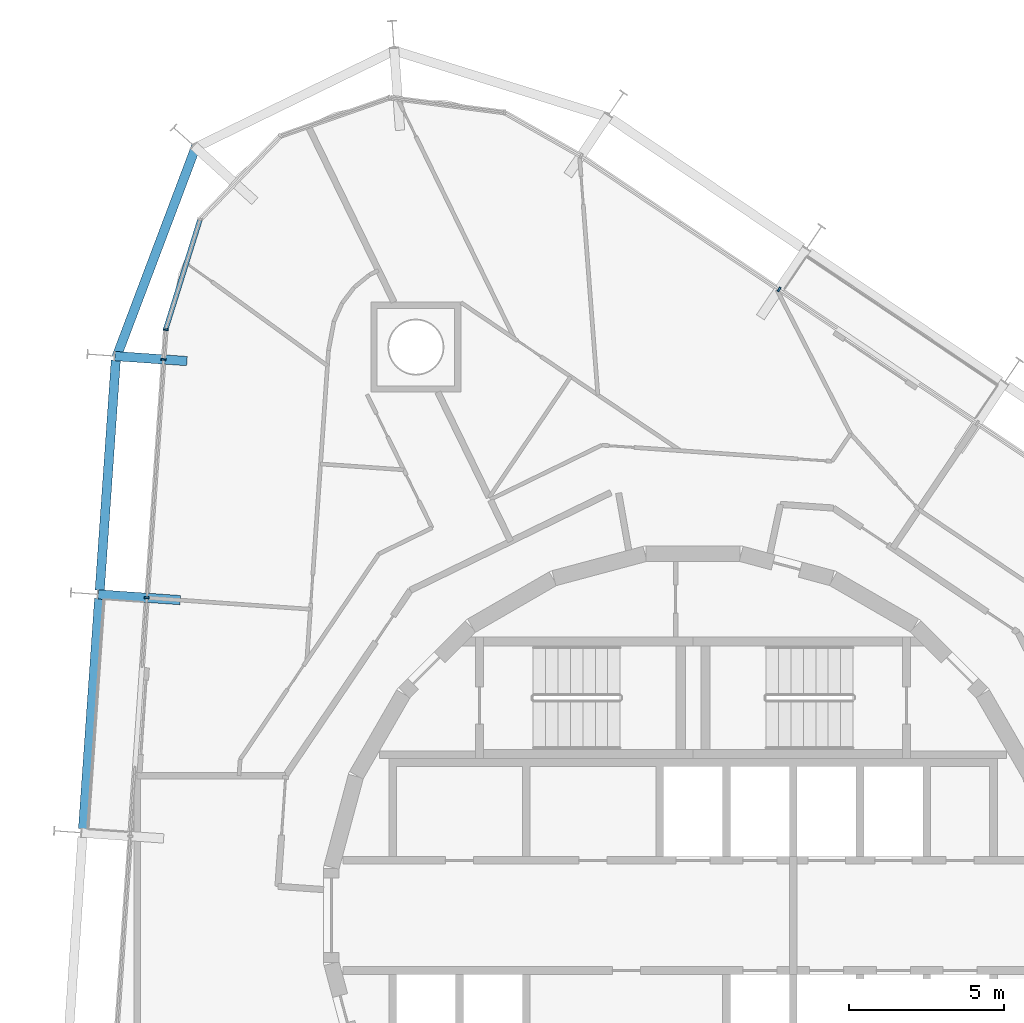
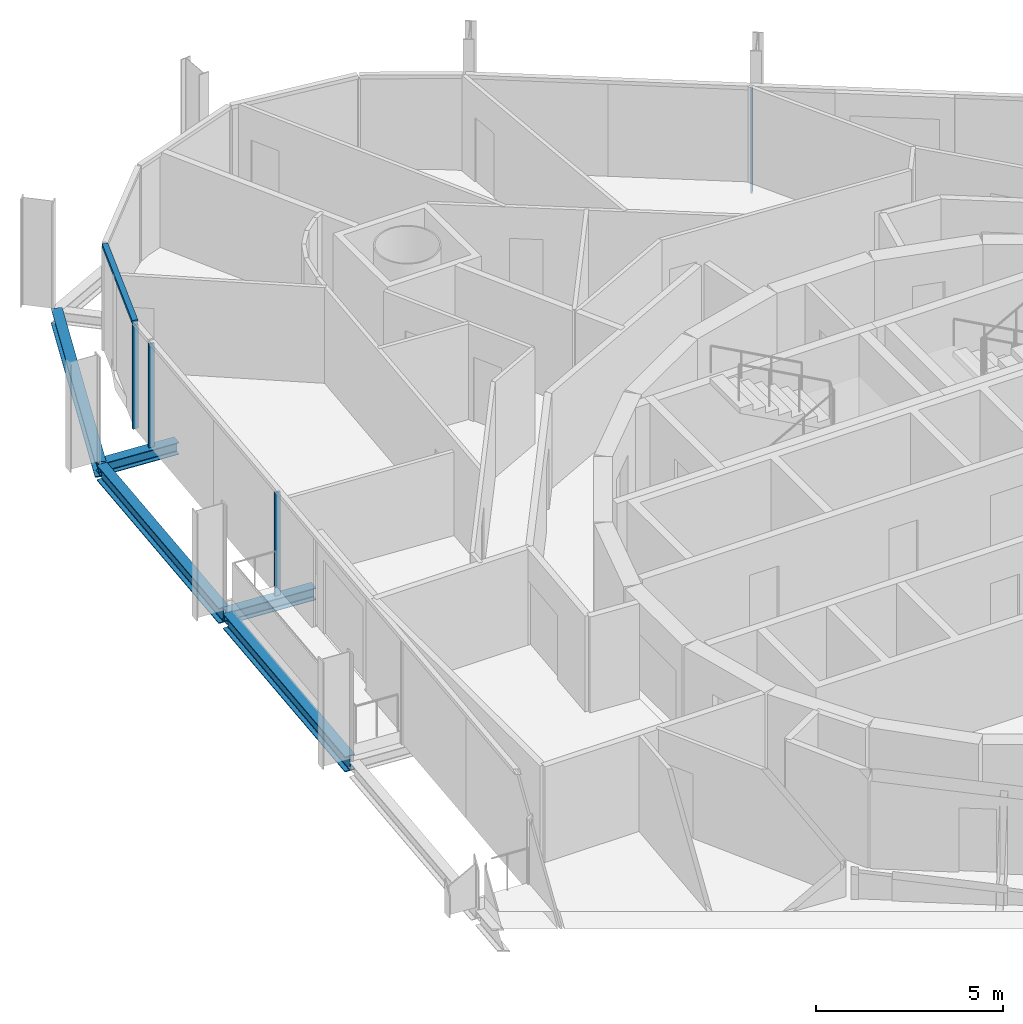
# One storey, part 6 of 17: 5 beams, 5 members, 3 elements without a shape of their own.
"""IFC4 building model written with IfcOpenShell, lengths in metres."""

from ifc_helpers import new_model, si_unit, direction, frame, origin, origin_2d, place, context, subcontext, project, spatial, rectangle, i_section, extrude, material, layer, layer_set, material_profile, profile_set, type_object, element, aggregate, save


model = new_model("IFC4")

# Units and contexts
model_context = context("Model", 3, precision=1e-05, world=origin(), true_north=direction((0.0, 1.0)))
body_context = subcontext(model_context, "Body", "Model", "MODEL_VIEW")
ifc_project = project(units=[si_unit("LENGTHUNIT", "METRE"), si_unit("AREAUNIT", "SQUARE_METRE"), si_unit("VOLUMEUNIT", "CUBIC_METRE"), si_unit("PLANEANGLEUNIT", "RADIAN"), si_unit("MASSUNIT", "GRAM", prefix="KILO")], contexts=[model_context])

# Site, building, storey
site_placement = place(None, origin())
site = spatial("IfcSite", under=ifc_project, at=site_placement, CompositionType="ELEMENT")
building_placement = place(site_placement, origin())
building = spatial("IfcBuilding", under=site, at=building_placement, Name="Spindle Arch Residences", CompositionType="ELEMENT")
storey_placement = place(building_placement, frame((0.0, 0.0, 212.89990234375)))
storey = spatial("IfcBuildingStorey", under=building, at=storey_placement, Name="L54", CompositionType="ELEMENT", Elevation=212.89990234375)

# Curtain wall, member
ifc_material_1 = material(Name="Aluminium bronze unitised frame with tinted glass", Category="aluminium")
ifc_layer_1 = layer(ifc_material_1, 0.159912109375)
ifc_layer_set_1 = layer_set([ifc_layer_1], Name="CW-C typical residential unitised wall")
curtain_wall_type_1 = type_object("IfcCurtainWallType", Name="CW-C typical residential unitised wall", PredefinedType="NOTDEFINED", material=ifc_layer_set_1)
curtain_wall_1_placement = place(storey_placement, origin())
curtain_wall_1 = element("IfcCurtainWall", 1, at=curtain_wall_1_placement, inside=storey, type_object=curtain_wall_type_1, Name="CW-C L54 run 2", PredefinedType="NOTDEFINED")
ifc_material_2 = material(Name="Aluminium bronze anodised mullion", Category="aluminium")
ifc_material_profile_1 = material_profile(ifc_material_2, rectangle(XDim=0.159912109375, YDim=0.06005859375, at=origin_2d()), Name="MU 60x160")
ifc_profile_set_1 = profile_set([ifc_material_profile_1], Name="Aluminium bronze anodised mullion")
member_type_1 = type_object("IfcMemberType", Name="Bronze mullion 60x160", PredefinedType="MULLION", material=ifc_profile_set_1)
member_1_placement = place(storey_placement, frame((2.769775390625, 20.158203125, -0.3798828125), z_axis=(0.0, 0.0, 1.0), x_axis=(-0.559192903471, -0.829037572555, 0.0)))
member_1 = element("IfcMember", 2, at=member_1_placement, type_object=member_type_1, Name="CW-C mullion 08", PredefinedType="MULLION", context=body_context, shape_type="SweptSolid", body=[
    extrude(rectangle(XDim=0.159912109375, YDim=0.06005859375, at=origin_2d()), origin(), (0.0, 0.0, 1.0), 3.3798828125),
])
aggregate(curtain_wall_1, [member_1])

ifc_material_3 = material(Name="Aluminium bronze unitised frame with tinted glass", Category="aluminium")
ifc_layer_2 = layer(ifc_material_3, 0.159912109375)
ifc_layer_set_2 = layer_set([ifc_layer_2], Name="CW-D corner wall on the fillet arcs")
curtain_wall_type_2 = type_object("IfcCurtainWallType", Name="CW-D corner wall on the fillet arcs", PredefinedType="NOTDEFINED", material=ifc_layer_set_2)
curtain_wall_2_placement = place(storey_placement, origin())
curtain_wall_2 = element("IfcCurtainWall", 3, at=curtain_wall_2_placement, inside=storey, type_object=curtain_wall_type_2, Name="CW-D L54 run 3", PredefinedType="NOTDEFINED")
member_2_placement = place(storey_placement, frame((-16.986328125, 18.864501953125, -0.3798828125), z_axis=(0.0, 0.0, 1.0), x_axis=(0.99756405026, -0.069756473744, 0.0)))
member_2 = element("IfcMember", 4, at=member_2_placement, type_object=member_type_1, Name="CW-D mullion 05", PredefinedType="MULLION", context=body_context, shape_type="SweptSolid", body=[
    extrude(rectangle(XDim=0.159912109375, YDim=0.06005859375, at=origin_2d()), origin(), (0.0, 0.0, 1.0), 3.3798828125),
])

# Curtain wall, members
curtain_wall_3_placement = place(storey_placement, origin())
curtain_wall_3 = element("IfcCurtainWall", 5, at=curtain_wall_3_placement, inside=storey, type_object=curtain_wall_type_1, Name="CW-C L54 run 4", PredefinedType="NOTDEFINED")
member_3_placement = place(storey_placement, frame((-17.053466796875, 17.90283203125, -0.3798828125), z_axis=(0.0, 0.0, 1.0), x_axis=(0.99756405026, -0.069756473744, 0.0)))
member_3 = element("IfcMember", 6, at=member_3_placement, type_object=member_type_1, Name="CW-C mullion 12", PredefinedType="MULLION", context=body_context, shape_type="SweptSolid", body=[
    extrude(rectangle(XDim=0.159912109375, YDim=0.06005859375, at=origin_2d()), origin(), (0.0, 0.0, 1.0), 3.3798828125),
])
member_4_placement = place(storey_placement, frame((-17.590087890625, 10.22802734375, -0.3798828125), z_axis=(0.0, 0.0, 1.0), x_axis=(0.99756405026, -0.069756473744, 0.0)))
member_4 = element("IfcMember", 7, at=member_4_placement, type_object=member_type_1, Name="CW-C mullion 13", PredefinedType="MULLION", context=body_context, shape_type="SweptSolid", body=[
    extrude(rectangle(XDim=0.159912109375, YDim=0.06005859375, at=origin_2d()), origin(), (0.0, 0.0, 1.0), 3.3798828125),
])
aggregate(curtain_wall_3, [member_3, member_4])

# Member
ifc_material_4 = material(Name="Aluminium bronze anodised transom", Category="aluminium")
ifc_material_profile_2 = material_profile(ifc_material_4, rectangle(XDim=0.159912109375, YDim=0.1201171875, at=origin_2d()), Name="TR 120x160")
ifc_profile_set_2 = profile_set([ifc_material_profile_2], Name="Aluminium bronze anodised transom")
member_type_2 = type_object("IfcMemberType", Name="Bronze transom 120x160", PredefinedType="USERDEFINED", material=ifc_profile_set_2)
member_5_placement = place(storey_placement, frame((-15.884765625, 22.393310546875, 3.06005859375), z_axis=(-0.297952730594, -0.95458062537, 0.0), x_axis=(0.95458062537, -0.297952730594, 0.0)))
member_5 = element("IfcMember", 8, at=member_5_placement, type_object=member_type_2, Name="CW-D transom 04", ObjectType="TRANSOM", PredefinedType="USERDEFINED", context=body_context, shape_type="SweptSolid", body=[
    extrude(rectangle(XDim=0.159912109375, YDim=0.1201171875, at=origin_2d()), origin(), (0.0, 0.0, 1.0), 3.666748046875),
])

aggregate(curtain_wall_2, [member_5, member_2])

# Beams
ifc_material_5 = material(Name="Steel S460ML, intumescent coating R 120", Category="steel")
ifc_material_profile_3 = material_profile(ifc_material_5, i_section(OverallWidth=0.300048828125, OverallDepth=0.5, WebThickness=0.014404296875, FlangeThickness=0.028076171875, FilletRadius=0.027099609375, at=origin_2d()), Name="HEB 500")
ifc_profile_set_3 = profile_set([ifc_material_profile_3], Name="Steel S460ML, intumescent coating R 120")
beam_type_1 = type_object("IfcBeamType", Name="Exoskeleton edge beam HEB 500", PredefinedType="BEAM", material=ifc_profile_set_3)
beam_1_placement = place(storey_placement, frame((-16.005859375, 24.768310546875, -0.6298828125), z_axis=(-0.353273753707, -0.935519991738, 0.0), x_axis=(0.935519991738, -0.353273753707, 0.0)))
element("IfcBeam", 9, at=beam_1_placement, inside=storey, type_object=beam_type_1, Name="Exoskeleton edge beam 12", PredefinedType="BEAM", context=body_context, shape_type="SweptSolid", body=[
    extrude(i_section(OverallWidth=0.300048828125, OverallDepth=0.5, WebThickness=0.014404296875, FlangeThickness=0.028076171875, FilletRadius=0.027099609375, at=origin_2d()), origin(), (0.0, 0.0, 1.0), 7.26318359375),
])
beam_2_placement = place(storey_placement, frame((-18.5888671875, 17.8798828125, -0.6298828125), z_axis=(-0.069757879566, -0.997563951954, 0.0), x_axis=(0.997563951954, -0.069757879566, 0.0)))
element("IfcBeam", 10, at=beam_2_placement, inside=storey, type_object=beam_type_1, Name="Exoskeleton edge beam 13", PredefinedType="BEAM", context=body_context, shape_type="SweptSolid", body=[
    extrude(i_section(OverallWidth=0.300048828125, OverallDepth=0.5, WebThickness=0.014404296875, FlangeThickness=0.028076171875, FilletRadius=0.027099609375, at=origin_2d()), origin(), (0.0, 0.0, 1.0), 7.43359375),
])
beam_3_placement = place(storey_placement, frame((-19.12548828125, 10.205078125, -0.6298828125), z_axis=(-0.069755594186, -0.997564111764, 0.0), x_axis=(0.997564111764, -0.069755594186, 0.0)))
element("IfcBeam", 11, at=beam_3_placement, inside=storey, type_object=beam_type_1, Name="Exoskeleton edge beam 14", PredefinedType="BEAM", context=body_context, shape_type="SweptSolid", body=[
    extrude(i_section(OverallWidth=0.300048828125, OverallDepth=0.5, WebThickness=0.014404296875, FlangeThickness=0.028076171875, FilletRadius=0.027099609375, at=origin_2d()), origin(), (0.0, 0.0, 1.0), 7.433837890625),
])
ifc_material_6 = material(Name="Steel S460ML, intumescent coating R 120", Category="steel")
ifc_material_profile_4 = material_profile(ifc_material_6, i_section(OverallWidth=0.300048828125, OverallDepth=0.389892578125, WebThickness=0.010986328125, FlangeThickness=0.01904296875, FilletRadius=0.027099609375, at=origin_2d()), Name="HEA 400")
ifc_profile_set_4 = profile_set([ifc_material_profile_4], Name="Steel S460ML, intumescent coating R 120")
beam_type_2 = type_object("IfcBeamType", Name="Floor outrigger HEA 400", PredefinedType="BEAM", material=ifc_profile_set_4)
beam_4_placement = place(storey_placement, frame((-18.61962890625, 18.012451171875, -0.574951171875), z_axis=(0.997565099834, -0.069741462509, 0.0), x_axis=(0.069741462509, 0.997565099834, 0.0)))
element("IfcBeam", 12, at=beam_4_placement, inside=storey, type_object=beam_type_2, Name="Floor outrigger 13", PredefinedType="BEAM", context=body_context, shape_type="SweptSolid", body=[
    extrude(i_section(OverallWidth=0.300048828125, OverallDepth=0.389892578125, WebThickness=0.010986328125, FlangeThickness=0.01904296875, FilletRadius=0.027099609375, at=origin_2d()), origin(), (0.0, 0.0, 1.0), 2.327880859375),
])
beam_5_placement = place(storey_placement, frame((-19.15625, 10.33740234375, -0.574951171875), z_axis=(0.997565124092, -0.069741115528, 0.0), x_axis=(0.069741115528, 0.997565124092, 0.0)))
element("IfcBeam", 13, at=beam_5_placement, inside=storey, type_object=beam_type_2, Name="Floor outrigger 14", PredefinedType="BEAM", context=body_context, shape_type="SweptSolid", body=[
    extrude(i_section(OverallWidth=0.300048828125, OverallDepth=0.389892578125, WebThickness=0.010986328125, FlangeThickness=0.01904296875, FilletRadius=0.027099609375, at=origin_2d()), origin(), (0.0, 0.0, 1.0), 2.64990234375),
])

save(model, "model.ifc")
